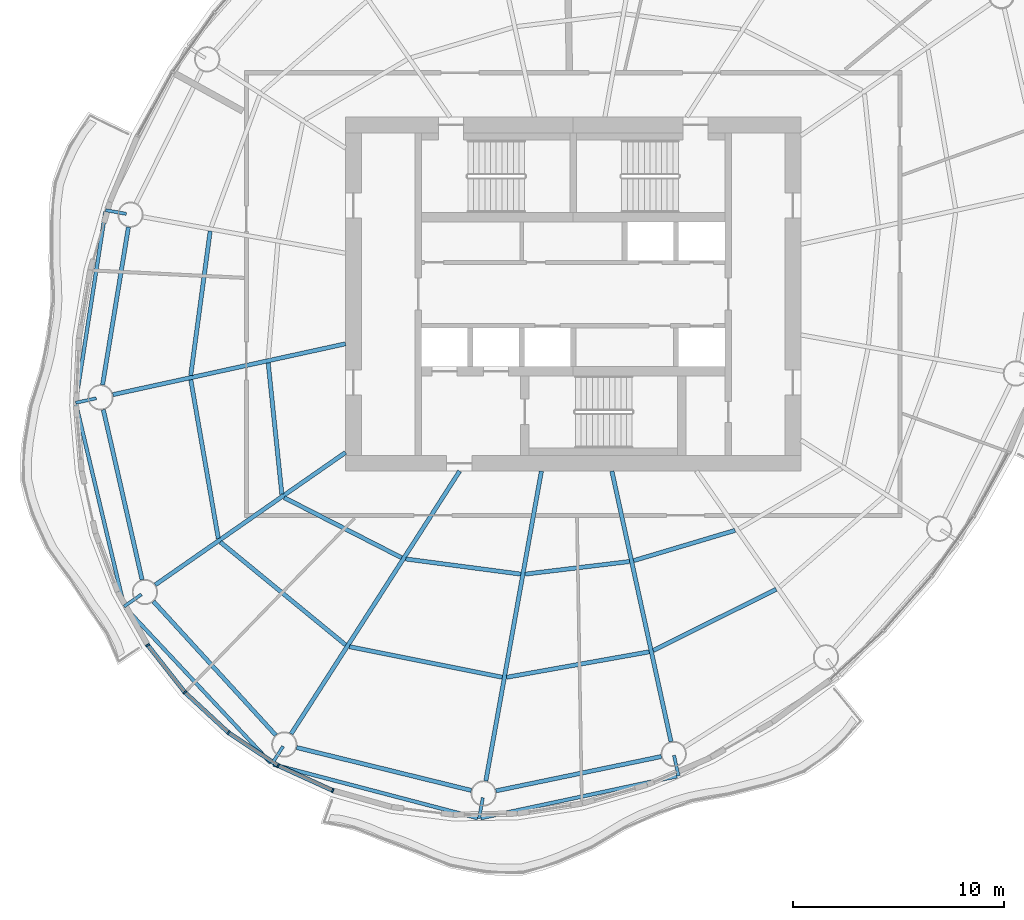
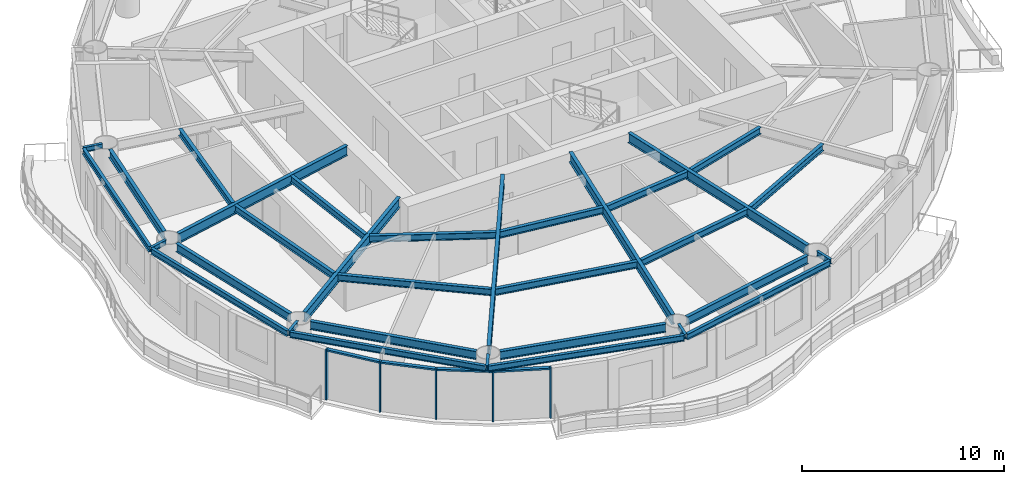
# One storey, part 2 of 14: 32 beams, 9 members, 4 elements without a shape of their own.
"""IFC4 building model written with IfcOpenShell, lengths in metres."""

from ifc_helpers import new_model, si_unit, direction, frame, origin, origin_2d, place, context, subcontext, project, spatial, rectangle, i_section, extrude, material, material_profile, profile_set, type_object, element, aggregate, save


model = new_model("IFC4")

# Units and contexts
model_context = context("Model", 3, precision=1e-05, world=origin(), true_north=direction((0.0, 1.0)))
body_context = subcontext(model_context, "Body", "Model", "MODEL_VIEW")
ifc_project = project(units=[si_unit("LENGTHUNIT", "METRE"), si_unit("AREAUNIT", "SQUARE_METRE"), si_unit("VOLUMEUNIT", "CUBIC_METRE"), si_unit("PLANEANGLEUNIT", "RADIAN"), si_unit("MASSUNIT", "GRAM", prefix="KILO")], contexts=[model_context])

# Site, building, storey
site_placement = place(None, origin())
site = spatial("IfcSite", under=ifc_project, at=site_placement, CompositionType="ELEMENT")
building_placement = place(site_placement, origin())
building = spatial("IfcBuilding", under=site, at=building_placement, Name="Vermilion Reach Broadcast Tower", CompositionType="ELEMENT")
storey_placement = place(building_placement, frame((0.0, 0.0, 238.89990234375)))
storey = spatial("IfcBuildingStorey", under=building, at=storey_placement, Name="L59", CompositionType="ELEMENT", Elevation=238.89990234375)

# Beams
ifc_material_1 = material(Name="Steel S355J2", Category="steel")
ifc_material_profile_1 = material_profile(ifc_material_1, i_section(OverallWidth=0.175048828125, OverallDepth=0.35009765625, WebThickness=0.007080078125, FlangeThickness=0.010986328125, at=origin_2d()), Name="S355J2 HN 350x175x7x11")
ifc_profile_set_1 = profile_set([ifc_material_profile_1], Name="Steel S355J2")
beam_type_1 = type_object("IfcBeamType", Name="EB4 HN 350x175x7x11", PredefinedType="BEAM", material=ifc_profile_set_1)
beam_1_placement = place(storey_placement, frame((-28.19189453125, 3.90478515625, 3.22509765625), z_axis=(-0.153646996885, -0.988125801884, 0.0), x_axis=(0.988125801884, -0.153646996885, 0.0)))
element("IfcBeam", 1, at=beam_1_placement, inside=storey, type_object=beam_type_1, Name="Edge beam EB4-06", PredefinedType="BEAM", context=body_context, shape_type="SweptSolid", body=[
    extrude(i_section(OverallWidth=0.175048828125, OverallDepth=0.35009765625, WebThickness=0.007080078125, FlangeThickness=0.010986328125, at=origin_2d()), origin(), (0.0, 0.0, 1.0), 9.092041015625),
])
beam_2_placement = place(storey_placement, frame((-29.583984375, -5.23193359375, 3.22509765625), z_axis=(0.231585642086, -0.972814520029, 0.0), x_axis=(0.972814520029, 0.231585642086, 0.0)))
element("IfcBeam", 2, at=beam_2_placement, inside=storey, type_object=beam_type_1, Name="Edge beam EB4-07", PredefinedType="BEAM", context=body_context, shape_type="SweptSolid", body=[
    extrude(i_section(OverallWidth=0.175048828125, OverallDepth=0.35009765625, WebThickness=0.007080078125, FlangeThickness=0.010986328125, at=origin_2d()), origin(), (0.0, 0.0, 1.0), 9.77685546875),
])
beam_3_placement = place(storey_placement, frame((-27.24951171875, -14.876708984375, 3.22509765625), z_axis=(0.68353620987, -0.729916604686, 0.0), x_axis=(0.729916604686, 0.68353620987, 0.0)))
element("IfcBeam", 3, at=beam_3_placement, inside=storey, type_object=beam_type_1, Name="Edge beam EB4-08", PredefinedType="BEAM", context=body_context, shape_type="SweptSolid", body=[
    extrude(i_section(OverallWidth=0.175048828125, OverallDepth=0.35009765625, WebThickness=0.007080078125, FlangeThickness=0.010986328125, at=origin_2d()), origin(), (0.0, 0.0, 1.0), 10.0908203125),
])
beam_4_placement = place(storey_placement, frame((-20.222900390625, -22.31884765625, 3.22509765625), z_axis=(0.967245780449, -0.253841683346, 0.0), x_axis=(0.253841683346, 0.967245780449, 0.0)))
element("IfcBeam", 4, at=beam_4_placement, inside=storey, type_object=beam_type_1, Name="Edge beam EB4-09", PredefinedType="BEAM", context=body_context, shape_type="SweptSolid", body=[
    extrude(i_section(OverallWidth=0.175048828125, OverallDepth=0.35009765625, WebThickness=0.007080078125, FlangeThickness=0.010986328125, at=origin_2d()), origin(), (0.0, 0.0, 1.0), 10.01513671875),
])
beam_5_placement = place(storey_placement, frame((-10.384033203125, -24.86328125, 3.22509765625), z_axis=(0.97797364035, 0.208728433089, 0.0), x_axis=(-0.208728433089, 0.97797364035, 0.0)))
element("IfcBeam", 5, at=beam_5_placement, inside=storey, type_object=beam_type_1, Name="Edge beam EB4-10", PredefinedType="BEAM", context=body_context, shape_type="SweptSolid", body=[
    extrude(i_section(OverallWidth=0.175048828125, OverallDepth=0.35009765625, WebThickness=0.007080078125, FlangeThickness=0.010986328125, at=origin_2d()), origin(), (0.0, 0.0, 1.0), 9.517578125),
])
ifc_material_2 = material(Name="Steel S355J2", Category="steel")
ifc_material_profile_2 = material_profile(ifc_material_2, i_section(OverallWidth=0.199951171875, OverallDepth=0.60009765625, WebThickness=0.010986328125, FlangeThickness=0.01708984375, at=origin_2d()), Name="S355J2 HN 600x200x11x17")
ifc_profile_set_2 = profile_set([ifc_material_profile_2], Name="Steel S355J2")
beam_type_2 = type_object("IfcBeamType", Name="G4 HN 600x200x11x17", PredefinedType="BEAM", material=ifc_profile_set_2)
beam_6_placement = place(storey_placement, frame((-16.800048828125, -2.360595703125, 3.10009765625), z_axis=(-0.976930175286, -0.213558967537, 0.0), x_axis=(0.213558967537, -0.976930175286, 0.0)))
element("IfcBeam", 6, at=beam_6_placement, inside=storey, type_object=beam_type_2, Name="Girder G4-07", PredefinedType="BEAM", context=body_context, shape_type="SweptSolid", body=[
    extrude(i_section(OverallWidth=0.199951171875, OverallDepth=0.60009765625, WebThickness=0.010986328125, FlangeThickness=0.01708984375, at=origin_2d()), origin(), (0.0, 0.0, 1.0), 11.29833984375),
])
beam_7_placement = place(storey_placement, frame((-16.800048828125, -7.5146484375, 3.10009765625), z_axis=(-0.820848627818, -0.571145804684, 0.0), x_axis=(0.571145804684, -0.820848627818, 0.0)))
element("IfcBeam", 7, at=beam_7_placement, inside=storey, type_object=beam_type_2, Name="Girder G4-08", PredefinedType="BEAM", context=body_context, shape_type="SweptSolid", body=[
    extrude(i_section(OverallWidth=0.199951171875, OverallDepth=0.60009765625, WebThickness=0.010986328125, FlangeThickness=0.01708984375, at=origin_2d()), origin(), (0.0, 0.0, 1.0), 10.99560546875),
])
beam_8_placement = place(storey_placement, frame((-11.386474609375, -8.39990234375, 3.10009765625), z_axis=(-0.539796447586, -0.84179557802, 0.0), x_axis=(0.84179557802, -0.539796447586, 0.0)))
element("IfcBeam", 8, at=beam_8_placement, inside=storey, type_object=beam_type_2, Name="Girder G4-09", PredefinedType="BEAM", context=body_context, shape_type="SweptSolid", body=[
    extrude(i_section(OverallWidth=0.199951171875, OverallDepth=0.60009765625, WebThickness=0.010986328125, FlangeThickness=0.01708984375, at=origin_2d()), origin(), (0.0, 0.0, 1.0), 14.8076171875),
])
beam_9_placement = place(storey_placement, frame((-7.5068359375, -8.39990234375, 3.10009765625), z_axis=(-0.176574729047, -0.984287237072, 0.0), x_axis=(0.984287237072, -0.176574729047, 0.0)))
element("IfcBeam", 9, at=beam_9_placement, inside=storey, type_object=beam_type_2, Name="Girder G4-10", PredefinedType="BEAM", context=body_context, shape_type="SweptSolid", body=[
    extrude(i_section(OverallWidth=0.199951171875, OverallDepth=0.60009765625, WebThickness=0.010986328125, FlangeThickness=0.01708984375, at=origin_2d()), origin(), (0.0, 0.0, 1.0), 14.935302734375),
])
beam_10_placement = place(storey_placement, frame((-4.163818359375, -8.39990234375, 3.10009765625), z_axis=(0.213538346548, -0.976934682849, 0.0), x_axis=(0.976934682849, 0.213538346548, 0.0)))
element("IfcBeam", 10, at=beam_10_placement, inside=storey, type_object=beam_type_2, Name="Girder G4-11", PredefinedType="BEAM", context=body_context, shape_type="SweptSolid", body=[
    extrude(i_section(OverallWidth=0.199951171875, OverallDepth=0.60009765625, WebThickness=0.010986328125, FlangeThickness=0.01708984375, at=origin_2d()), origin(), (0.0, 0.0, 1.0), 13.135498046875),
])
ifc_material_3 = material(Name="Steel S355J2", Category="steel")
ifc_material_profile_3 = material_profile(ifc_material_3, i_section(OverallWidth=0.14990234375, OverallDepth=0.300048828125, WebThickness=0.006591796875, FlangeThickness=0.009033203125, at=origin_2d()), Name="S355J2 HN 300x150x6.5x9")
ifc_profile_set_3 = profile_set([ifc_material_profile_3], Name="Steel S355J2")
beam_type_3 = type_object("IfcBeamType", Name="GS4 HN 300x150x6.5x9", PredefinedType="BEAM", material=ifc_profile_set_3)
beam_11_placement = place(storey_placement, frame((-27.196044921875, 3.80224609375, 3.25), z_axis=(-0.984258143554, 0.176736829348, 0.0), x_axis=(-0.176736829348, -0.984258143554, 0.0)))
element("IfcBeam", 11, at=beam_11_placement, inside=storey, type_object=beam_type_3, Name="Cantilever stub GS4-06", PredefinedType="BEAM", context=body_context, shape_type="SweptSolid", body=[
    extrude(i_section(OverallWidth=0.14990234375, OverallDepth=0.300048828125, WebThickness=0.006591796875, FlangeThickness=0.009033203125, at=origin_2d()), origin(), (0.0, 0.0, 1.0), 1.0),
])
beam_12_placement = place(storey_placement, frame((-28.624267578125, -4.9453125, 3.25), z_axis=(-0.976922307173, -0.213594957215, 0.0), x_axis=(0.213594957215, -0.976922307173, 0.0)))
element("IfcBeam", 12, at=beam_12_placement, inside=storey, type_object=beam_type_3, Name="Cantilever stub GS4-07", PredefinedType="BEAM", context=body_context, shape_type="SweptSolid", body=[
    extrude(i_section(OverallWidth=0.14990234375, OverallDepth=0.300048828125, WebThickness=0.006591796875, FlangeThickness=0.009033203125, at=origin_2d()), origin(), (0.0, 0.0, 1.0), 1.000244140625),
])
for number, where, z_axis, x_axis, name in (
    (13, (-26.48046875, -14.250244140625, 3.25), (-0.820880318022, -0.571100256946, 0.0), (0.571100256946, -0.820880318022, 0.0), "Cantilever stub GS4-08"),
    (14, (-19.75927734375, -21.45703125, 3.25), (-0.539794777091, -0.841796649213, 0.0), (0.841796649213, -0.539794777091, 0.0), "Cantilever stub GS4-09"),
    (15, (-10.28662109375, -23.89599609375, 3.25), (-0.176500327456, -0.984300581331, 0.0), (0.984300581331, -0.176500327456, 0.0), "Cantilever stub GS4-10"),
    (16, (-1.216552734375, -21.88427734375, 3.25), (0.213645906146, -0.976911166272, 0.0), (0.976911166272, 0.213645906146, 0.0), "Cantilever stub GS4-11"),
):
    element("IfcBeam", number, at=place(storey_placement, frame(where, z_axis=z_axis, x_axis=x_axis)), inside=storey, type_object=beam_type_3, Name=name, PredefinedType="BEAM", context=body_context, shape_type="SweptSolid", body=[
        extrude(i_section(OverallWidth=0.14990234375, OverallDepth=0.300048828125, WebThickness=0.006591796875, FlangeThickness=0.009033203125, at=origin_2d()), origin(), (0.0, 0.0, 1.0), 1.0),
    ])
ifc_material_4 = material(Name="Steel S355J2", Category="steel")
ifc_material_profile_4 = material_profile(ifc_material_4, i_section(OverallWidth=0.199951171875, OverallDepth=0.5, WebThickness=0.010009765625, FlangeThickness=0.01611328125, at=origin_2d()), Name="S355J2 HN 500x200x10x16")
ifc_profile_set_4 = profile_set([ifc_material_profile_4], Name="Steel S355J2")
beam_type_4 = type_object("IfcBeamType", Name="RB4 HN 500x200x10x16", PredefinedType="BEAM", material=ifc_profile_set_4)
beam_13_placement = place(storey_placement, frame((-27.099609375, 3.175537109375, 3.150146484375), z_axis=(-0.161778110263, -0.986827159659, 0.0), x_axis=(0.986827159659, -0.161778110263, 0.0)))
element("IfcBeam", 17, at=beam_13_placement, inside=storey, type_object=beam_type_4, Name="Ring beam RB4-06", PredefinedType="BEAM", context=body_context, shape_type="SweptSolid", body=[
    extrude(i_section(OverallWidth=0.199951171875, OverallDepth=0.5, WebThickness=0.010009765625, FlangeThickness=0.01611328125, at=origin_2d()), origin(), (0.0, 0.0, 1.0), 7.584716796875),
])
beam_14_placement = place(storey_placement, frame((-28.290283203125, -5.486572265625, 3.150146484375), z_axis=(0.222283068275, -0.974982172944, 0.0), x_axis=(0.974982172944, 0.222283068275, 0.0)))
element("IfcBeam", 18, at=beam_14_placement, inside=storey, type_object=beam_type_4, Name="Ring beam RB4-07", PredefinedType="BEAM", context=body_context, shape_type="SweptSolid", body=[
    extrude(i_section(OverallWidth=0.199951171875, OverallDepth=0.5, WebThickness=0.010009765625, FlangeThickness=0.01611328125, at=origin_2d()), origin(), (0.0, 0.0, 1.0), 8.272705078125),
])
beam_15_placement = place(storey_placement, frame((-25.9130859375, -14.580078125, 3.150146484375), z_axis=(0.674868141417, -0.737938338684, 0.0), x_axis=(0.737938338684, 0.674868141417, 0.0)))
element("IfcBeam", 19, at=beam_15_placement, inside=storey, type_object=beam_type_4, Name="Ring beam RB4-08", PredefinedType="BEAM", context=body_context, shape_type="SweptSolid", body=[
    extrude(i_section(OverallWidth=0.199951171875, OverallDepth=0.5, WebThickness=0.010009765625, FlangeThickness=0.01611328125, at=origin_2d()), origin(), (0.0, 0.0, 1.0), 8.601318359375),
])
beam_16_placement = place(storey_placement, frame((-19.120849609375, -21.51318359375, 3.150146484375), z_axis=(0.971158622271, -0.238434331398, 0.0), x_axis=(0.238434331398, 0.971158622271, 0.0)))
element("IfcBeam", 20, at=beam_16_placement, inside=storey, type_object=beam_type_4, Name="Ring beam RB4-09", PredefinedType="BEAM", context=body_context, shape_type="SweptSolid", body=[
    extrude(i_section(OverallWidth=0.199951171875, OverallDepth=0.5, WebThickness=0.010009765625, FlangeThickness=0.01611328125, at=origin_2d()), origin(), (0.0, 0.0, 1.0), 8.534423828125),
])
beam_17_placement = place(storey_placement, frame((-9.662353515625, -23.569091796875, 3.150146484375), z_axis=(0.97912342484, 0.203266620302, 0.0), x_axis=(-0.203266620302, 0.97912342484, 0.0)))
element("IfcBeam", 21, at=beam_17_placement, inside=storey, type_object=beam_type_4, Name="Ring beam RB4-10", PredefinedType="BEAM", context=body_context, shape_type="SweptSolid", body=[
    extrude(i_section(OverallWidth=0.199951171875, OverallDepth=0.5, WebThickness=0.010009765625, FlangeThickness=0.01611328125, at=origin_2d()), origin(), (0.0, 0.0, 1.0), 8.01123046875),
])
ifc_material_5 = material(Name="Steel S355J2", Category="steel")
ifc_material_profile_5 = material_profile(ifc_material_5, i_section(OverallWidth=0.199951171875, OverallDepth=0.39990234375, WebThickness=0.008056640625, FlangeThickness=0.012939453125, at=origin_2d()), Name="S355J2 HN 400x200x8x13")
ifc_profile_set_5 = profile_set([ifc_material_profile_5], Name="Steel S355J2")
beam_type_5 = type_object("IfcBeamType", Name="SB4 HN 400x200x8x13", PredefinedType="BEAM", material=ifc_profile_set_5)
beam_18_placement = place(storey_placement, frame((-23.221435546875, 2.98779296875, 3.2001953125), z_axis=(-0.133486718782, -0.991050602093, 0.0), x_axis=(0.991050602093, -0.133486718782, 0.0)))
element("IfcBeam", 22, at=beam_18_placement, inside=storey, type_object=beam_type_5, Name="Secondary beam SB4-06-2", PredefinedType="BEAM", context=body_context, shape_type="SweptSolid", body=[
    extrude(i_section(OverallWidth=0.199951171875, OverallDepth=0.39990234375, WebThickness=0.008056640625, FlangeThickness=0.012939453125, at=origin_2d()), origin(), (0.0, 0.0, 1.0), 6.913330078125),
])
beam_19_placement = place(storey_placement, frame((-20.46875, -3.264892578125, 3.2001953125), z_axis=(0.103532173355, -0.994626105167, 0.0), x_axis=(0.994626105167, 0.103532173355, 0.0)))
element("IfcBeam", 23, at=beam_19_placement, inside=storey, type_object=beam_type_5, Name="Secondary beam SB4-07-1", PredefinedType="BEAM", context=body_context, shape_type="SweptSolid", body=[
    extrude(i_section(OverallWidth=0.199951171875, OverallDepth=0.39990234375, WebThickness=0.008056640625, FlangeThickness=0.012939453125, at=origin_2d()), origin(), (0.0, 0.0, 1.0), 6.26318359375),
])
beam_20_placement = place(storey_placement, frame((-24.141357421875, -4.067626953125, 3.2001953125), z_axis=(0.170926997669, -0.985283695931, 0.0), x_axis=(0.985283695931, 0.170926997669, 0.0)))
element("IfcBeam", 24, at=beam_20_placement, inside=storey, type_object=beam_type_5, Name="Secondary beam SB4-07-2", PredefinedType="BEAM", context=body_context, shape_type="SweptSolid", body=[
    extrude(i_section(OverallWidth=0.199951171875, OverallDepth=0.39990234375, WebThickness=0.008056640625, FlangeThickness=0.012939453125, at=origin_2d()), origin(), (0.0, 0.0, 1.0), 7.63720703125),
])
beam_21_placement = place(storey_placement, frame((-19.707763671875, -9.659423828125, 3.2001953125), z_axis=(0.89015575218, -0.455656380249, 0.0), x_axis=(0.455656380249, 0.89015575218, 0.0)))
element("IfcBeam", 25, at=beam_21_placement, inside=storey, type_object=beam_type_5, Name="Secondary beam SB4-08-1", PredefinedType="BEAM", context=body_context, shape_type="SweptSolid", body=[
    extrude(i_section(OverallWidth=0.199951171875, OverallDepth=0.39990234375, WebThickness=0.008056640625, FlangeThickness=0.012939453125, at=origin_2d()), origin(), (0.0, 0.0, 1.0), 6.25439453125),
])
beam_22_placement = place(storey_placement, frame((-22.73681640625, -11.76708984375, 3.2001953125), z_axis=(0.772952000494, -0.6344645025, 0.0), x_axis=(0.6344645025, 0.772952000494, 0.0)))
element("IfcBeam", 26, at=beam_22_placement, inside=storey, type_object=beam_type_5, Name="Secondary beam SB4-08-2", PredefinedType="BEAM", context=body_context, shape_type="SweptSolid", body=[
    extrude(i_section(OverallWidth=0.199951171875, OverallDepth=0.39990234375, WebThickness=0.008056640625, FlangeThickness=0.012939453125, at=origin_2d()), origin(), (0.0, 0.0, 1.0), 7.689697265625),
])
beam_23_placement = place(storey_placement, frame((-13.94140625, -12.5693359375, 3.2001953125), z_axis=(0.991458070019, -0.130425823341, 0.0), x_axis=(0.130425823341, 0.991458070019, 0.0)))
element("IfcBeam", 27, at=beam_23_placement, inside=storey, type_object=beam_type_5, Name="Secondary beam SB4-09-1", PredefinedType="BEAM", context=body_context, shape_type="SweptSolid", body=[
    extrude(i_section(OverallWidth=0.199951171875, OverallDepth=0.39990234375, WebThickness=0.008056640625, FlangeThickness=0.012939453125, at=origin_2d()), origin(), (0.0, 0.0, 1.0), 5.50341796875),
])
beam_24_placement = place(storey_placement, frame((-16.60986328125, -16.73095703125, 3.2001953125), z_axis=(0.9805717807, -0.196160604851, 0.0), x_axis=(0.196160604851, 0.9805717807, 0.0)))
element("IfcBeam", 28, at=beam_24_placement, inside=storey, type_object=beam_type_5, Name="Secondary beam SB4-09-2", PredefinedType="BEAM", context=body_context, shape_type="SweptSolid", body=[
    extrude(i_section(OverallWidth=0.199951171875, OverallDepth=0.39990234375, WebThickness=0.008056640625, FlangeThickness=0.012939453125, at=origin_2d()), origin(), (0.0, 0.0, 1.0), 7.390380859375),
])
beam_25_placement = place(storey_placement, frame((-8.281982421875, -13.28759765625, 3.2001953125), z_axis=(0.99278788328, 0.119884189168, 0.0), x_axis=(-0.119884189168, 0.99278788328, 0.0)))
element("IfcBeam", 29, at=beam_25_placement, inside=storey, type_object=beam_type_5, Name="Secondary beam SB4-10-1", PredefinedType="BEAM", context=body_context, shape_type="SweptSolid", body=[
    extrude(i_section(OverallWidth=0.199951171875, OverallDepth=0.39990234375, WebThickness=0.008056640625, FlangeThickness=0.012939453125, at=origin_2d()), origin(), (0.0, 0.0, 1.0), 4.9892578125),
])
beam_26_placement = place(storey_placement, frame((-9.159912109375, -18.181640625, 3.2001953125), z_axis=(0.984415281892, 0.175859468829, 0.0), x_axis=(-0.175859468829, 0.984415281892, 0.0)))
element("IfcBeam", 30, at=beam_26_placement, inside=storey, type_object=beam_type_5, Name="Secondary beam SB4-10-2", PredefinedType="BEAM", context=body_context, shape_type="SweptSolid", body=[
    extrude(i_section(OverallWidth=0.199951171875, OverallDepth=0.39990234375, WebThickness=0.008056640625, FlangeThickness=0.012939453125, at=origin_2d()), origin(), (0.0, 0.0, 1.0), 6.874755859375),
])
beam_27_placement = place(storey_placement, frame((-3.1328125, -12.64892578125, 3.2001953125), z_axis=(0.958173460215, 0.28618808525, 0.0), x_axis=(-0.28618808525, 0.958173460215, 0.0)))
element("IfcBeam", 31, at=beam_27_placement, inside=storey, type_object=beam_type_5, Name="Secondary beam SB4-11-1", PredefinedType="BEAM", context=body_context, shape_type="SweptSolid", body=[
    extrude(i_section(OverallWidth=0.199951171875, OverallDepth=0.39990234375, WebThickness=0.008056640625, FlangeThickness=0.012939453125, at=origin_2d()), origin(), (0.0, 0.0, 1.0), 5.02197265625),
])
beam_28_placement = place(storey_placement, frame((-2.20166015625, -16.908935546875, 3.2001953125), z_axis=(0.895183615542, 0.445697536974, 0.0), x_axis=(-0.445697536974, 0.895183615542, 0.0)))
element("IfcBeam", 32, at=beam_28_placement, inside=storey, type_object=beam_type_5, Name="Secondary beam SB4-11-2", PredefinedType="BEAM", context=body_context, shape_type="SweptSolid", body=[
    extrude(i_section(OverallWidth=0.199951171875, OverallDepth=0.39990234375, WebThickness=0.008056640625, FlangeThickness=0.012939453125, at=origin_2d()), origin(), (0.0, 0.0, 1.0), 6.508544921875),
])

# Curtain wall, member
ifc_material_6 = material(Name="Low-e laminated clear glass in aluminium frame", Category="aluminium")
curtain_wall_type = type_object("IfcCurtainWallType", Name="Slot curtain wall", PredefinedType="NOTDEFINED", material=ifc_material_6)
placement = place(storey_placement, origin())
curtain_wall_1 = element("IfcCurtainWall", 33, at=placement, inside=storey, type_object=curtain_wall_type, Name="Slot curtain wall L59 22", PredefinedType="NOTDEFINED")
ifc_material_7 = material(Name="Anodised aluminium", Category="aluminium")
ifc_material_profile_6 = material_profile(ifc_material_7, rectangle(XDim=0.199951171875, YDim=0.080078125, at=origin_2d()), Name="Slot mullion 80 x 200")
ifc_profile_set_6 = profile_set([ifc_material_profile_6], Name="Anodised aluminium")
member_type_1 = type_object("IfcMemberType", Name="Slot mullion 80 x 200", PredefinedType="MULLION", material=ifc_profile_set_6)
member_1_placement = place(storey_placement, frame((-26.186279296875, -16.653076171875, 0.0), z_axis=(0.0, 0.0, 1.0), x_axis=(0.831309337436, 0.555810026441, 0.0)))
member_1 = element("IfcMember", 34, at=member_1_placement, type_object=member_type_1, Name="Slot mullion L59 22", PredefinedType="MULLION", context=body_context, shape_type="SweptSolid", body=[
    extrude(rectangle(XDim=0.199951171875, YDim=0.080078125, at=origin_2d()), origin(), (0.0, 0.0, 1.0), 3.050048828125),
])

curtain_wall_2 = element("IfcCurtainWall", 35, at=placement, inside=storey, type_object=curtain_wall_type, Name="Slot curtain wall L59 23", PredefinedType="NOTDEFINED")
member_2_placement = place(storey_placement, frame((-24.425048828125, -18.8916015625, 0.0), z_axis=(0.0, 0.0, 1.0), x_axis=(0.73454634453, 0.678558521969, 0.0)))
member_2 = element("IfcMember", 36, at=member_2_placement, type_object=member_type_1, Name="Slot mullion L59 23", PredefinedType="MULLION", context=body_context, shape_type="SweptSolid", body=[
    extrude(rectangle(XDim=0.199951171875, YDim=0.080078125, at=origin_2d()), origin(), (0.0, 0.0, 1.0), 3.050048828125),
])

curtain_wall_3 = element("IfcCurtainWall", 37, at=placement, inside=storey, type_object=curtain_wall_type, Name="Slot curtain wall L59 24", PredefinedType="NOTDEFINED")
member_3_placement = place(storey_placement, frame((-22.3505859375, -20.807861328125, 0.0), z_axis=(0.0, 0.0, 1.0), x_axis=(0.617859564908, 0.786288469998, 0.0)))
member_3 = element("IfcMember", 38, at=member_3_placement, type_object=member_type_1, Name="Slot mullion L59 24", PredefinedType="MULLION", context=body_context, shape_type="SweptSolid", body=[
    extrude(rectangle(XDim=0.199951171875, YDim=0.080078125, at=origin_2d()), origin(), (0.0, 0.0, 1.0), 3.050048828125),
])

# Curtain wall, members
curtain_wall_4 = element("IfcCurtainWall", 39, at=placement, inside=storey, type_object=curtain_wall_type, Name="Slot curtain wall L59 25", PredefinedType="NOTDEFINED")
member_4_placement = place(storey_placement, frame((-19.998046875, -22.3701171875, 0.0), z_axis=(0.0, 0.0, 1.0), x_axis=(0.485589491785, 0.874186962536, 0.0)))
member_4 = element("IfcMember", 40, at=member_4_placement, type_object=member_type_1, Name="Slot mullion L59 25", PredefinedType="MULLION", context=body_context, shape_type="SweptSolid", body=[
    extrude(rectangle(XDim=0.199951171875, YDim=0.080078125, at=origin_2d()), origin(), (0.0, 0.0, 1.0), 3.050048828125),
])
member_5_placement = place(storey_placement, frame((-17.406494140625, -23.552001953125, 0.0), z_axis=(0.0, 0.0, 1.0), x_axis=(0.343439040587, 0.9391749706, 0.0)))
member_5 = element("IfcMember", 41, at=member_5_placement, type_object=member_type_1, Name="Slot mullion L59 26", PredefinedType="MULLION", context=body_context, shape_type="SweptSolid", body=[
    extrude(rectangle(XDim=0.199951171875, YDim=0.080078125, at=origin_2d()), origin(), (0.0, 0.0, 1.0), 3.050048828125),
])

# Member
ifc_material_8 = material(Name="Anodised aluminium", Category="aluminium")
ifc_material_profile_7 = material_profile(ifc_material_8, rectangle(XDim=0.199951171875, YDim=0.10009765625, at=origin_2d()), Name="Slot transom 200 x 100")
ifc_profile_set_7 = profile_set([ifc_material_profile_7], Name="Anodised aluminium")
member_type_2 = type_object("IfcMemberType", Name="Slot transom 200 x 100", PredefinedType="USERDEFINED", material=ifc_profile_set_7)
member_6_placement = place(storey_placement, frame((-26.161376953125, -16.684326171875, 3.0), z_axis=(0.618296605282, -0.785944850417, 0.0), x_axis=(0.785944850417, 0.618296605282, 0.0)))
member_6 = element("IfcMember", 42, at=member_6_placement, type_object=member_type_2, Name="Slot transom L59 22.1", ObjectType="TRANSOM", PredefinedType="USERDEFINED", context=body_context, shape_type="SweptSolid", body=[
    extrude(rectangle(XDim=0.199951171875, YDim=0.10009765625, at=origin_2d()), origin(), (0.0, 0.0, 1.0), 2.768310546875),
])

aggregate(curtain_wall_1, [member_1, member_6])

member_7_placement = place(storey_placement, frame((-24.3955078125, -18.918701171875, 3.0), z_axis=(0.734492948276, -0.678616319383, 0.0), x_axis=(0.678616319383, 0.734492948276, 0.0)))
member_7 = element("IfcMember", 43, at=member_7_placement, type_object=member_type_2, Name="Slot transom L59 23.1", ObjectType="TRANSOM", PredefinedType="USERDEFINED", context=body_context, shape_type="SweptSolid", body=[
    extrude(rectangle(XDim=0.199951171875, YDim=0.10009765625, at=origin_2d()), origin(), (0.0, 0.0, 1.0), 2.743896484375),
])

aggregate(curtain_wall_2, [member_2, member_7])

member_8_placement = place(storey_placement, frame((-22.3173828125, -20.830078125, 3.0), z_axis=(0.83307550706, -0.553159289479, 0.0), x_axis=(0.553159289479, 0.83307550706, 0.0)))
member_8 = element("IfcMember", 44, at=member_8_placement, type_object=member_type_2, Name="Slot transom L59 24.1", ObjectType="TRANSOM", PredefinedType="USERDEFINED", context=body_context, shape_type="SweptSolid", body=[
    extrude(rectangle(XDim=0.199951171875, YDim=0.10009765625, at=origin_2d()), origin(), (0.0, 0.0, 1.0), 2.743896484375),
])

aggregate(curtain_wall_3, [member_3, member_8])

member_9_placement = place(storey_placement, frame((-19.961669921875, -22.38671875, 3.0), z_axis=(0.909852343969, -0.414932177801, 0.0), x_axis=(0.414932177801, 0.909852343969, 0.0)))
member_9 = element("IfcMember", 45, at=member_9_placement, type_object=member_type_2, Name="Slot transom L59 25.1", ObjectType="TRANSOM", PredefinedType="USERDEFINED", context=body_context, shape_type="SweptSolid", body=[
    extrude(rectangle(XDim=0.199951171875, YDim=0.10009765625, at=origin_2d()), origin(), (0.0, 0.0, 1.0), 2.768310546875),
])

aggregate(curtain_wall_4, [member_4, member_5, member_9])

save(model, "model.ifc")
